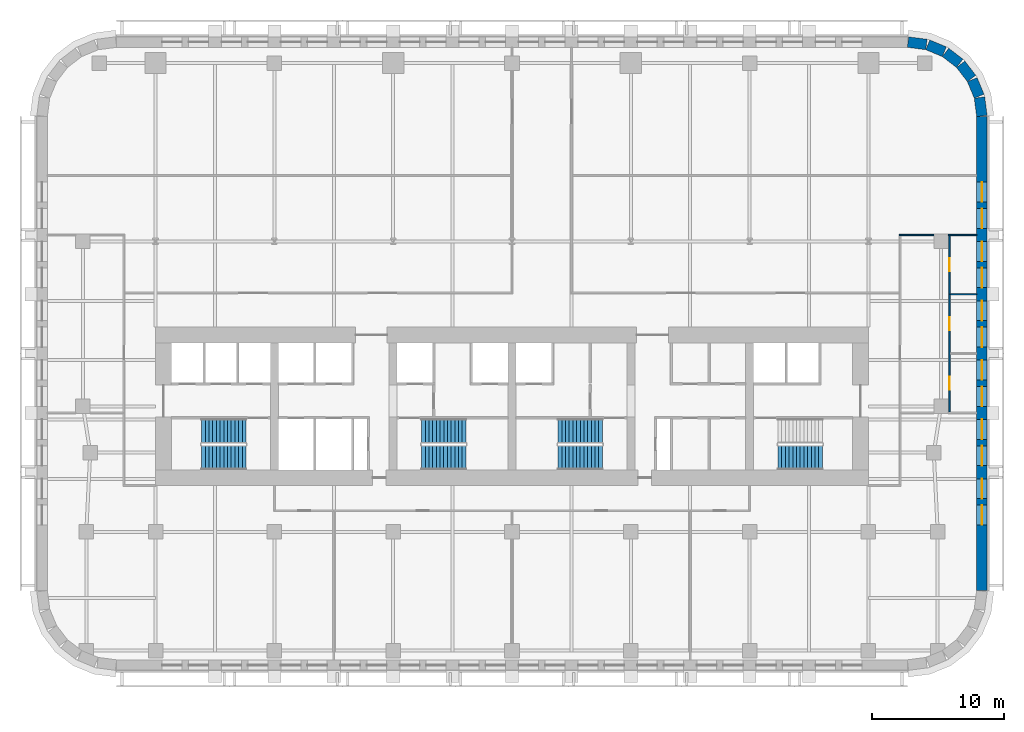
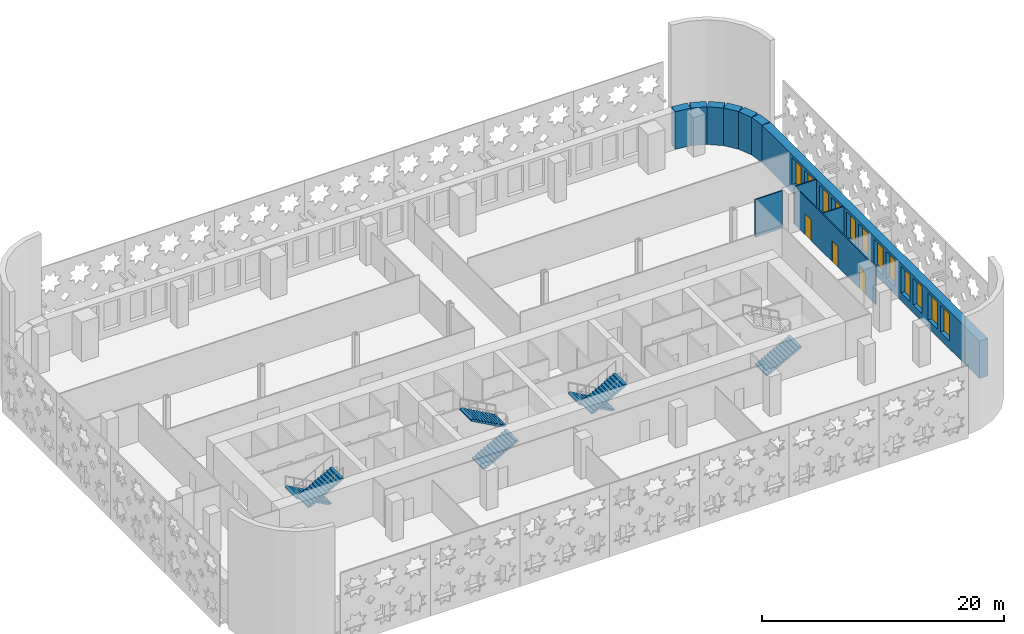
# One storey, part 9 of 15: 12 windows, 11 walls, 7 stair flights, 3 doors, 15 openings, 4 elements without a shape of their own.
"""IFC4 building model written with IfcOpenShell, lengths in metres."""

from ifc_helpers import new_model, si_unit, direction, frame, frame_2d, origin, place, context, subcontext, project, spatial, polyline, rectangle, outline, extrude, material, layer, layer_set, type_object, element, fill, aggregate, save


model = new_model("IFC4")

# Units and contexts
model_context = context("Model", 3, precision=1e-05, world=origin(), true_north=direction((0.0, 1.0)))
body_context = subcontext(model_context, "Body", "Model", "MODEL_VIEW")
ifc_project = project(units=[si_unit("LENGTHUNIT", "METRE"), si_unit("AREAUNIT", "SQUARE_METRE"), si_unit("VOLUMEUNIT", "CUBIC_METRE"), si_unit("PLANEANGLEUNIT", "RADIAN"), si_unit("MASSUNIT", "GRAM", prefix="KILO")], contexts=[model_context])

# Site, building, storey
site_placement = place(None, origin())
site = spatial("IfcSite", under=ifc_project, at=site_placement, CompositionType="ELEMENT")
building_placement = place(site_placement, origin())
building = spatial("IfcBuilding", under=site, at=building_placement, Name="Zellij Exchange Tower", CompositionType="ELEMENT")
storey_placement = place(building_placement, frame((0.0, 0.0, 76.5)))
storey = spatial("IfcBuildingStorey", under=building, at=storey_placement, Name="L15", CompositionType="ELEMENT", Elevation=76.5)

# Wall, openings, windows
ifc_material_1 = material(Name="Precast concrete C40/50", Category="concrete")
ifc_layer_1 = layer(ifc_material_1, 0.800048828125)
ifc_layer_set_1 = layer_set([ifc_layer_1], Name="Precast concrete C40/50")
wall_type_1 = type_object("IfcWallType", Name="ENV-EW1 Precast stone-piered wall 800", PredefinedType="SOLIDWALL", material=ifc_layer_set_1)
wall_1_placement = place(storey_placement, frame((35.60009765625, -21.947509765625, 0.0), z_axis=(0.0, 0.0, 1.0), x_axis=(0.0, 1.0, 0.0)))
wall_1 = element("IfcWall", 1, at=wall_1_placement, inside=storey, type_object=wall_type_1, Name="fac.L15.07", PredefinedType="SOLIDWALL", context=body_context, shape_type="SweptSolid", body=[
    extrude(rectangle(XDim=35.89501953125, YDim=0.800048828125, at=frame_2d((17.947509765625, 0.0))), origin(), (0.0, 0.0, 1.0), 3.800048828125),
])
opening_1_placement = place(wall_1_placement, frame((4.9638671875, 0.0, 0.800048828125)))
opening_1 = element("IfcOpeningElement", 2, at=opening_1_placement, cuts=wall_1, Name="Opening FZ1.25", PredefinedType="OPENING", context=body_context, shape_type="SweptSolid", body=[
    extrude(rectangle(XDim=1.5, YDim=2.699951171875, at=frame_2d((0.75, 1.35009765625))), frame((0.0, 0.412109375, 0.0), z_axis=(0.0, -1.0, 0.0), x_axis=(1.0, 0.0, 0.0)), (0.0, 0.0, 1.0), 0.823974609375),
])
opening_2_placement = place(wall_1_placement, frame((6.9638671875, 0.0, 0.800048828125)))
opening_2 = element("IfcOpeningElement", 3, at=opening_2_placement, cuts=wall_1, Name="Opening FZ1.26", PredefinedType="OPENING", context=body_context, shape_type="SweptSolid", body=[
    extrude(rectangle(XDim=1.5, YDim=2.699951171875, at=frame_2d((0.75, 1.35009765625))), frame((0.0, 0.412109375, 0.0), z_axis=(0.0, -1.0, 0.0), x_axis=(1.0, 0.0, 0.0)), (0.0, 0.0, 1.0), 0.823974609375),
])
opening_3_placement = place(wall_1_placement, frame((9.45751953125, 0.0, 0.800048828125)))
opening_3 = element("IfcOpeningElement", 4, at=opening_3_placement, cuts=wall_1, Name="Opening FZ1.27", PredefinedType="OPENING", context=body_context, shape_type="SweptSolid", body=[
    extrude(rectangle(XDim=1.5, YDim=2.699951171875, at=frame_2d((0.75, 1.35009765625))), frame((0.0, 0.412109375, 0.0), z_axis=(0.0, -1.0, 0.0), x_axis=(1.0, 0.0, 0.0)), (0.0, 0.0, 1.0), 0.823974609375),
])
opening_4_placement = place(wall_1_placement, frame((11.45751953125, 0.0, 0.800048828125)))
opening_4 = element("IfcOpeningElement", 5, at=opening_4_placement, cuts=wall_1, Name="Opening FZ1.28", PredefinedType="OPENING", context=body_context, shape_type="SweptSolid", body=[
    extrude(rectangle(XDim=1.5, YDim=2.699951171875, at=frame_2d((0.75, 1.35009765625))), frame((0.0, 0.412109375, 0.0), z_axis=(0.0, -1.0, 0.0), x_axis=(1.0, 0.0, 0.0)), (0.0, 0.0, 1.0), 0.823974609375),
])
opening_5_placement = place(wall_1_placement, frame((13.950927734375, 0.0, 0.800048828125)))
opening_5 = element("IfcOpeningElement", 6, at=opening_5_placement, cuts=wall_1, Name="Opening FZ1.29", PredefinedType="OPENING", context=body_context, shape_type="SweptSolid", body=[
    extrude(rectangle(XDim=1.5, YDim=2.699951171875, at=frame_2d((0.75, 1.35009765625))), frame((0.0, 0.412109375, 0.0), z_axis=(0.0, -1.0, 0.0), x_axis=(1.0, 0.0, 0.0)), (0.0, 0.0, 1.0), 0.823974609375),
])
opening_6_placement = place(wall_1_placement, frame((15.95068359375, 0.0, 0.800048828125)))
opening_6 = element("IfcOpeningElement", 7, at=opening_6_placement, cuts=wall_1, Name="Opening FZ1.30", PredefinedType="OPENING", context=body_context, shape_type="SweptSolid", body=[
    extrude(rectangle(XDim=1.5, YDim=2.699951171875, at=frame_2d((0.75, 1.35009765625))), frame((0.0, 0.412109375, 0.0), z_axis=(0.0, -1.0, 0.0), x_axis=(1.0, 0.0, 0.0)), (0.0, 0.0, 1.0), 0.823974609375),
])
opening_7_placement = place(wall_1_placement, frame((18.4443359375, 0.0, 0.800048828125)))
opening_7 = element("IfcOpeningElement", 8, at=opening_7_placement, cuts=wall_1, Name="Opening FZ1.31", PredefinedType="OPENING", context=body_context, shape_type="SweptSolid", body=[
    extrude(rectangle(XDim=1.5, YDim=2.699951171875, at=frame_2d((0.75, 1.35009765625))), frame((0.0, 0.412109375, 0.0), z_axis=(0.0, -1.0, 0.0), x_axis=(1.0, 0.0, 0.0)), (0.0, 0.0, 1.0), 0.823974609375),
])
opening_8_placement = place(wall_1_placement, frame((20.4443359375, 0.0, 0.800048828125)))
opening_8 = element("IfcOpeningElement", 9, at=opening_8_placement, cuts=wall_1, Name="Opening FZ1.32", PredefinedType="OPENING", context=body_context, shape_type="SweptSolid", body=[
    extrude(rectangle(XDim=1.5, YDim=2.699951171875, at=frame_2d((0.75, 1.35009765625))), frame((0.0, 0.412109375, 0.0), z_axis=(0.0, -1.0, 0.0), x_axis=(1.0, 0.0, 0.0)), (0.0, 0.0, 1.0), 0.823974609375),
])
opening_9_placement = place(wall_1_placement, frame((22.937744140625, 0.0, 0.800048828125)))
opening_9 = element("IfcOpeningElement", 10, at=opening_9_placement, cuts=wall_1, Name="Opening FZ1.33", PredefinedType="OPENING", context=body_context, shape_type="SweptSolid", body=[
    extrude(rectangle(XDim=1.5, YDim=2.699951171875, at=frame_2d((0.75, 1.35009765625))), frame((0.0, 0.412109375, 0.0), z_axis=(0.0, -1.0, 0.0), x_axis=(1.0, 0.0, 0.0)), (0.0, 0.0, 1.0), 0.823974609375),
])
opening_10_placement = place(wall_1_placement, frame((24.937744140625, 0.0, 0.800048828125)))
opening_10 = element("IfcOpeningElement", 11, at=opening_10_placement, cuts=wall_1, Name="Opening FZ1.34", PredefinedType="OPENING", context=body_context, shape_type="SweptSolid", body=[
    extrude(rectangle(XDim=1.5, YDim=2.699951171875, at=frame_2d((0.75, 1.35009765625))), frame((0.0, 0.412109375, 0.0), z_axis=(0.0, -1.0, 0.0), x_axis=(1.0, 0.0, 0.0)), (0.0, 0.0, 1.0), 0.823974609375),
])
opening_11_placement = place(wall_1_placement, frame((27.43115234375, 0.0, 0.800048828125)))
opening_11 = element("IfcOpeningElement", 12, at=opening_11_placement, cuts=wall_1, Name="Opening FZ1.35", PredefinedType="OPENING", context=body_context, shape_type="SweptSolid", body=[
    extrude(rectangle(XDim=1.5, YDim=2.699951171875, at=frame_2d((0.75, 1.35009765625))), frame((0.0, 0.412109375, 0.0), z_axis=(0.0, -1.0, 0.0), x_axis=(1.0, 0.0, 0.0)), (0.0, 0.0, 1.0), 0.823974609375),
])
opening_12_placement = place(wall_1_placement, frame((29.43115234375, 0.0, 0.800048828125)))
opening_12 = element("IfcOpeningElement", 13, at=opening_12_placement, cuts=wall_1, Name="Opening FZ1.36", PredefinedType="OPENING", context=body_context, shape_type="SweptSolid", body=[
    extrude(rectangle(XDim=1.5, YDim=2.699951171875, at=frame_2d((0.75, 1.35009765625))), frame((0.0, 0.412109375, 0.0), z_axis=(0.0, -1.0, 0.0), x_axis=(1.0, 0.0, 0.0)), (0.0, 0.0, 1.0), 0.823974609375),
])
ifc_material_2 = material(Name="Aluminium frame with insulating glass", Category="aluminium")
window_type = type_object("IfcWindowType", Name="ENV-W6 Window 1500x2700", PartitioningType="SINGLE_PANEL", PredefinedType="WINDOW", material=ifc_material_2)
window_1_placement = place(opening_1_placement, origin())
window_1 = element("IfcWindow", 14, at=window_1_placement, inside=storey, type_object=window_type, Name="Window FZ1.25", OverallHeight=2.699951171875, OverallWidth=1.5, PartitioningType="SINGLE_PANEL", PredefinedType="WINDOW", context=body_context, shape_type="SweptSolid", body=[
    extrude(rectangle(XDim=1.5, YDim=2.699951171875, at=frame_2d((0.75, 1.35009765625))), frame((0.0, 0.030029296875, 0.0), z_axis=(0.0, -1.0, 0.0), x_axis=(1.0, 0.0, 0.0)), (0.0, 0.0, 1.0), 0.06005859375),
])
fill(opening_1, window_1)
window_2_placement = place(opening_2_placement, origin())
window_2 = element("IfcWindow", 15, at=window_2_placement, inside=storey, type_object=window_type, Name="Window FZ1.26", OverallHeight=2.699951171875, OverallWidth=1.5, PartitioningType="SINGLE_PANEL", PredefinedType="WINDOW", context=body_context, shape_type="SweptSolid", body=[
    extrude(rectangle(XDim=1.5, YDim=2.699951171875, at=frame_2d((0.75, 1.35009765625))), frame((0.0, 0.030029296875, 0.0), z_axis=(0.0, -1.0, 0.0), x_axis=(1.0, 0.0, 0.0)), (0.0, 0.0, 1.0), 0.06005859375),
])
fill(opening_2, window_2)
window_3_placement = place(opening_3_placement, origin())
window_3 = element("IfcWindow", 16, at=window_3_placement, inside=storey, type_object=window_type, Name="Window FZ1.27", OverallHeight=2.699951171875, OverallWidth=1.5, PartitioningType="SINGLE_PANEL", PredefinedType="WINDOW", context=body_context, shape_type="SweptSolid", body=[
    extrude(rectangle(XDim=1.5, YDim=2.699951171875, at=frame_2d((0.75, 1.35009765625))), frame((0.0, 0.030029296875, 0.0), z_axis=(0.0, -1.0, 0.0), x_axis=(1.0, 0.0, 0.0)), (0.0, 0.0, 1.0), 0.06005859375),
])
fill(opening_3, window_3)
window_4_placement = place(opening_4_placement, origin())
window_4 = element("IfcWindow", 17, at=window_4_placement, inside=storey, type_object=window_type, Name="Window FZ1.28", OverallHeight=2.699951171875, OverallWidth=1.5, PartitioningType="SINGLE_PANEL", PredefinedType="WINDOW", context=body_context, shape_type="SweptSolid", body=[
    extrude(rectangle(XDim=1.5, YDim=2.699951171875, at=frame_2d((0.75, 1.35009765625))), frame((0.0, 0.030029296875, 0.0), z_axis=(0.0, -1.0, 0.0), x_axis=(1.0, 0.0, 0.0)), (0.0, 0.0, 1.0), 0.06005859375),
])
fill(opening_4, window_4)
window_5_placement = place(opening_5_placement, origin())
window_5 = element("IfcWindow", 18, at=window_5_placement, inside=storey, type_object=window_type, Name="Window FZ1.29", OverallHeight=2.699951171875, OverallWidth=1.5, PartitioningType="SINGLE_PANEL", PredefinedType="WINDOW", context=body_context, shape_type="SweptSolid", body=[
    extrude(rectangle(XDim=1.5, YDim=2.699951171875, at=frame_2d((0.75, 1.35009765625))), frame((0.0, 0.030029296875, 0.0), z_axis=(0.0, -1.0, 0.0), x_axis=(1.0, 0.0, 0.0)), (0.0, 0.0, 1.0), 0.06005859375),
])
fill(opening_5, window_5)
window_6_placement = place(opening_6_placement, origin())
window_6 = element("IfcWindow", 19, at=window_6_placement, inside=storey, type_object=window_type, Name="Window FZ1.30", OverallHeight=2.699951171875, OverallWidth=1.5, PartitioningType="SINGLE_PANEL", PredefinedType="WINDOW", context=body_context, shape_type="SweptSolid", body=[
    extrude(rectangle(XDim=1.5, YDim=2.699951171875, at=frame_2d((0.75, 1.35009765625))), frame((0.0, 0.030029296875, 0.0), z_axis=(0.0, -1.0, 0.0), x_axis=(1.0, 0.0, 0.0)), (0.0, 0.0, 1.0), 0.06005859375),
])
fill(opening_6, window_6)
window_7_placement = place(opening_7_placement, origin())
window_7 = element("IfcWindow", 20, at=window_7_placement, inside=storey, type_object=window_type, Name="Window FZ1.31", OverallHeight=2.699951171875, OverallWidth=1.5, PartitioningType="SINGLE_PANEL", PredefinedType="WINDOW", context=body_context, shape_type="SweptSolid", body=[
    extrude(rectangle(XDim=1.5, YDim=2.699951171875, at=frame_2d((0.75, 1.35009765625))), frame((0.0, 0.030029296875, 0.0), z_axis=(0.0, -1.0, 0.0), x_axis=(1.0, 0.0, 0.0)), (0.0, 0.0, 1.0), 0.06005859375),
])
fill(opening_7, window_7)
window_8_placement = place(opening_8_placement, origin())
window_8 = element("IfcWindow", 21, at=window_8_placement, inside=storey, type_object=window_type, Name="Window FZ1.32", OverallHeight=2.699951171875, OverallWidth=1.5, PartitioningType="SINGLE_PANEL", PredefinedType="WINDOW", context=body_context, shape_type="SweptSolid", body=[
    extrude(rectangle(XDim=1.5, YDim=2.699951171875, at=frame_2d((0.75, 1.35009765625))), frame((0.0, 0.030029296875, 0.0), z_axis=(0.0, -1.0, 0.0), x_axis=(1.0, 0.0, 0.0)), (0.0, 0.0, 1.0), 0.06005859375),
])
fill(opening_8, window_8)
window_9_placement = place(opening_9_placement, origin())
window_9 = element("IfcWindow", 22, at=window_9_placement, inside=storey, type_object=window_type, Name="Window FZ1.33", OverallHeight=2.699951171875, OverallWidth=1.5, PartitioningType="SINGLE_PANEL", PredefinedType="WINDOW", context=body_context, shape_type="SweptSolid", body=[
    extrude(rectangle(XDim=1.5, YDim=2.699951171875, at=frame_2d((0.75, 1.35009765625))), frame((0.0, 0.030029296875, 0.0), z_axis=(0.0, -1.0, 0.0), x_axis=(1.0, 0.0, 0.0)), (0.0, 0.0, 1.0), 0.06005859375),
])
fill(opening_9, window_9)
window_10_placement = place(opening_10_placement, origin())
window_10 = element("IfcWindow", 23, at=window_10_placement, inside=storey, type_object=window_type, Name="Window FZ1.34", OverallHeight=2.699951171875, OverallWidth=1.5, PartitioningType="SINGLE_PANEL", PredefinedType="WINDOW", context=body_context, shape_type="SweptSolid", body=[
    extrude(rectangle(XDim=1.5, YDim=2.699951171875, at=frame_2d((0.75, 1.35009765625))), frame((0.0, 0.030029296875, 0.0), z_axis=(0.0, -1.0, 0.0), x_axis=(1.0, 0.0, 0.0)), (0.0, 0.0, 1.0), 0.06005859375),
])
fill(opening_10, window_10)
window_11_placement = place(opening_11_placement, origin())
window_11 = element("IfcWindow", 24, at=window_11_placement, inside=storey, type_object=window_type, Name="Window FZ1.35", OverallHeight=2.699951171875, OverallWidth=1.5, PartitioningType="SINGLE_PANEL", PredefinedType="WINDOW", context=body_context, shape_type="SweptSolid", body=[
    extrude(rectangle(XDim=1.5, YDim=2.699951171875, at=frame_2d((0.75, 1.35009765625))), frame((0.0, 0.030029296875, 0.0), z_axis=(0.0, -1.0, 0.0), x_axis=(1.0, 0.0, 0.0)), (0.0, 0.0, 1.0), 0.06005859375),
])
fill(opening_11, window_11)
window_12_placement = place(opening_12_placement, origin())
window_12 = element("IfcWindow", 25, at=window_12_placement, inside=storey, type_object=window_type, Name="Window FZ1.36", OverallHeight=2.699951171875, OverallWidth=1.5, PartitioningType="SINGLE_PANEL", PredefinedType="WINDOW", context=body_context, shape_type="SweptSolid", body=[
    extrude(rectangle(XDim=1.5, YDim=2.699951171875, at=frame_2d((0.75, 1.35009765625))), frame((0.0, 0.030029296875, 0.0), z_axis=(0.0, -1.0, 0.0), x_axis=(1.0, 0.0, 0.0)), (0.0, 0.0, 1.0), 0.06005859375),
])
fill(opening_12, window_12)

# Walls
wall_2_placement = place(storey_placement, frame((35.5966796875, 13.999755859375, 0.0), z_axis=(0.0, 0.0, 1.0), x_axis=(-0.130517283865, 0.99144603414, 0.0)))
element("IfcWall", 26, at=wall_2_placement, inside=storey, type_object=wall_type_1, Name="fac.L15.08", PredefinedType="SOLIDWALL", context=body_context, shape_type="SweptSolid", body=[
    extrude(rectangle(XDim=1.408447265625, YDim=0.800048828125, at=frame_2d((0.7041015625, 0.0))), origin(), (0.0, 0.0, 1.0), 3.800048828125),
])
wall_3_placement = place(storey_placement, frame((35.3857421875, 15.497314453125, 0.0), z_axis=(0.0, 0.0, 1.0), x_axis=(-0.38276009378, 0.923847774587, 0.0)))
element("IfcWall", 27, at=wall_3_placement, inside=storey, type_object=wall_type_1, Name="fac.L15.09", PredefinedType="SOLIDWALL", context=body_context, shape_type="SweptSolid", body=[
    extrude(rectangle(XDim=1.35546875, YDim=0.800048828125, at=frame_2d((0.677734375, 0.0))), origin(), (0.0, 0.0, 1.0), 3.800048828125),
])
for number, where, z_axis, x_axis, name in (
    (28, (34.814697265625, 16.840087890625, 0.0), (0.0, 0.0, 1.0), (-0.608866226366, 0.793272915452, 0.0), "fac.L15.10"),
    (29, (33.91552734375, 17.9892578125, 0.0), (0.0, 0.0, 1.0), (-0.793272915452, 0.608866226366, 0.0), "fac.L15.11"),
):
    element("IfcWall", number, at=place(storey_placement, frame(where, z_axis=z_axis, x_axis=x_axis)), inside=storey, type_object=wall_type_1, Name=name, PredefinedType="SOLIDWALL", context=body_context, shape_type="SweptSolid", body=[
        extrude(rectangle(XDim=1.355712890625, YDim=0.800048828125, at=frame_2d((0.677734375, 0.0))), origin(), (0.0, 0.0, 1.0), 3.800048828125),
    ])
wall_4_placement = place(storey_placement, frame((32.74951171875, 18.866943359375, 0.0), z_axis=(0.0, 0.0, 1.0), x_axis=(-0.923847774587, 0.38276009378, 0.0)))
element("IfcWall", 30, at=wall_4_placement, inside=storey, type_object=wall_type_1, Name="fac.L15.12", PredefinedType="SOLIDWALL", context=body_context, shape_type="SweptSolid", body=[
    extrude(rectangle(XDim=1.35546875, YDim=0.800048828125, at=frame_2d((0.677734375, 0.0))), origin(), (0.0, 0.0, 1.0), 3.800048828125),
])
wall_5_placement = place(storey_placement, frame((31.396240234375, 19.412841796875, 0.0), z_axis=(0.0, 0.0, 1.0), x_axis=(-0.99144603414, 0.130517283865, 0.0)))
element("IfcWall", 31, at=wall_5_placement, inside=storey, type_object=wall_type_1, Name="fac.L15.13", PredefinedType="SOLIDWALL", context=body_context, shape_type="SweptSolid", body=[
    extrude(rectangle(XDim=1.408447265625, YDim=0.800048828125, at=frame_2d((0.7041015625, 0.0))), origin(), (0.0, 0.0, 1.0), 3.800048828125),
])

# Wall, openings, doors
ifc_material_3 = material(Name="Gypsum board partition on steel studs", Category="steel")
ifc_layer_2 = layer(ifc_material_3, 0.10009765625)
ifc_layer_set_2 = layer_set([ifc_layer_2], Name="Gypsum board partition on steel studs")
wall_type_2 = type_object("IfcWallType", Name="FIT-PARTITION-100", PredefinedType="PARTITIONING", material=ifc_layer_set_2)
wall_6_placement = place(storey_placement, frame((33.14990234375, -8.43994140625, 0.0), z_axis=(0.0, 0.0, 1.0), x_axis=(0.0, 1.0, 0.0)))
wall_6 = element("IfcWall", 32, at=wall_6_placement, inside=storey, type_object=wall_type_2, Name="FIT-PARTITION-100 018", PredefinedType="PARTITIONING", context=body_context, shape_type="SweptSolid", body=[
    extrude(rectangle(XDim=13.3798828125, YDim=0.10009765625, at=frame_2d((6.68994140625, 0.0))), origin(), (0.0, 0.0, 1.0), 3.800048828125),
])
opening_13_placement = place(wall_6_placement, frame((1.699951171875, 0.0, 0.0)))
opening_13 = element("IfcOpeningElement", 33, at=opening_13_placement, cuts=wall_6, Name="Opening TC.05", PredefinedType="OPENING", context=body_context, shape_type="SweptSolid", body=[
    extrude(rectangle(XDim=1.0, YDim=2.10009765625, at=frame_2d((0.5, 1.050048828125))), frame((0.0, 0.06201171875, 0.0), z_axis=(0.0, -1.0, 0.0), x_axis=(1.0, 0.0, 0.0)), (0.0, 0.0, 1.0), 0.1240234375),
])
opening_14_placement = place(wall_6_placement, frame((6.18994140625, 0.0, 0.0)))
opening_14 = element("IfcOpeningElement", 34, at=opening_14_placement, cuts=wall_6, Name="Opening TC.08", PredefinedType="OPENING", context=body_context, shape_type="SweptSolid", body=[
    extrude(rectangle(XDim=1.0, YDim=2.10009765625, at=frame_2d((0.5, 1.050048828125))), frame((0.0, 0.06201171875, 0.0), z_axis=(0.0, -1.0, 0.0), x_axis=(1.0, 0.0, 0.0)), (0.0, 0.0, 1.0), 0.1240234375),
])
opening_15_placement = place(wall_6_placement, frame((10.679931640625, 0.0, 0.0)))
opening_15 = element("IfcOpeningElement", 35, at=opening_15_placement, cuts=wall_6, Name="Opening TC.13", PredefinedType="OPENING", context=body_context, shape_type="SweptSolid", body=[
    extrude(rectangle(XDim=1.0, YDim=2.10009765625, at=frame_2d((0.5, 1.050048828125))), frame((0.0, 0.06201171875, 0.0), z_axis=(0.0, -1.0, 0.0), x_axis=(1.0, 0.0, 0.0)), (0.0, 0.0, 1.0), 0.1240234375),
])
ifc_material_4 = material(Name="Timber door set", Category="wood")
door_type = type_object("IfcDoorType", Name="FIT-D2-WIDE-1000X2100", OperationType="SINGLE_SWING_LEFT", PredefinedType="DOOR", material=ifc_material_4)
door_1_placement = place(opening_13_placement, origin())
door_1 = element("IfcDoor", 36, at=door_1_placement, inside=storey, type_object=door_type, Name="Door TC.05", OperationType="SINGLE_SWING_RIGHT", OverallHeight=2.10009765625, OverallWidth=1.0, PredefinedType="DOOR", context=body_context, shape_type="SweptSolid", body=[
    extrude(rectangle(XDim=1.0, YDim=2.10009765625, at=frame_2d((0.5, 1.050048828125))), frame((0.0, 0.02490234375, 0.0), z_axis=(0.0, -1.0, 0.0), x_axis=(1.0, 0.0, 0.0)), (0.0, 0.0, 1.0), 0.050048828125),
])
fill(opening_13, door_1)
door_2_placement = place(opening_14_placement, origin())
door_2 = element("IfcDoor", 37, at=door_2_placement, inside=storey, type_object=door_type, Name="Door TC.08", OperationType="SINGLE_SWING_RIGHT", OverallHeight=2.10009765625, OverallWidth=1.0, PredefinedType="DOOR", context=body_context, shape_type="SweptSolid", body=[
    extrude(rectangle(XDim=1.0, YDim=2.10009765625, at=frame_2d((0.5, 1.050048828125))), frame((0.0, 0.02490234375, 0.0), z_axis=(0.0, -1.0, 0.0), x_axis=(1.0, 0.0, 0.0)), (0.0, 0.0, 1.0), 0.050048828125),
])
fill(opening_14, door_2)
door_3_placement = place(opening_15_placement, origin())
door_3 = element("IfcDoor", 38, at=door_3_placement, inside=storey, type_object=door_type, Name="Door TC.13", OperationType="SINGLE_SWING_LEFT", OverallHeight=2.10009765625, OverallWidth=1.0, PredefinedType="DOOR", context=body_context, shape_type="SweptSolid", body=[
    extrude(rectangle(XDim=1.0, YDim=2.10009765625, at=frame_2d((0.5, 1.050048828125))), frame((0.0, 0.02490234375, 0.0), z_axis=(0.0, -1.0, 0.0), x_axis=(1.0, 0.0, 0.0)), (0.0, 0.0, 1.0), 0.050048828125),
])
fill(opening_15, door_3)

# Walls
wall_7_placement = place(storey_placement, frame((33.199951171875, 0.489990234375, 0.0), z_axis=(0.0, 0.0, 1.0), x_axis=(1.0, 0.0, 0.0)))
element("IfcWall", 39, at=wall_7_placement, inside=storey, type_object=wall_type_2, Name="FIT-PARTITION-100 020", PredefinedType="PARTITIONING", context=body_context, shape_type="SweptSolid", body=[
    extrude(rectangle(XDim=2.0, YDim=0.10009765625, at=frame_2d((1.0, 0.0))), origin(), (0.0, 0.0, 1.0), 3.800048828125),
])
wall_8_placement = place(storey_placement, frame((29.35009765625, 4.989990234375, 0.0), z_axis=(0.0, 0.0, 1.0), x_axis=(1.0, 0.0, 0.0)))
element("IfcWall", 40, at=wall_8_placement, inside=storey, type_object=wall_type_2, Name="FIT-PARTITION-100 030", PredefinedType="PARTITIONING", context=body_context, shape_type="SweptSolid", body=[
    extrude(rectangle(XDim=2.599853515625, YDim=0.10009765625, at=frame_2d((1.2998046875, 0.0))), origin(), (0.0, 0.0, 1.0), 3.800048828125),
])
wall_9_placement = place(storey_placement, frame((33.050048828125, 4.989990234375, 0.0), z_axis=(0.0, 0.0, 1.0), x_axis=(1.0, 0.0, 0.0)))
element("IfcWall", 41, at=wall_9_placement, inside=storey, type_object=wall_type_2, Name="FIT-PARTITION-100 031", PredefinedType="PARTITIONING", context=body_context, shape_type="SweptSolid", body=[
    extrude(rectangle(XDim=2.14990234375, YDim=0.10009765625, at=frame_2d((1.074951171875, 0.0))), origin(), (0.0, 0.0, 1.0), 3.800048828125),
])

# Stair, stair flights
ifc_material_5 = material(Name="Concrete C40/50", Category="concrete")
stair_type = type_object("IfcStairType", Name="CORE-ST exit stair 1850 wide", PredefinedType="HALF_TURN_STAIR", material=ifc_material_5)
stair_1_placement = place(storey_placement, origin())
stair_1 = element("IfcStair", 42, at=stair_1_placement, inside=storey, type_object=stair_type, Name="L15 exit stair ST1", PredefinedType="HALF_TURN_STAIR")
stair_flight_type = type_object("IfcStairFlightType", Name="CORE-SF flight 1850 riser 153.8 going 280", PredefinedType="STRAIGHT", material=ifc_material_5)
stair_flight_1_placement = place(storey_placement, frame((-20.14990234375, -9.875, 0.0), z_axis=(0.0, 0.0, 1.0), x_axis=(-1.0, 0.0, 0.0)))
stair_flight_1 = element("IfcStairFlight", 43, at=stair_flight_1_placement, type_object=stair_flight_type, Name="ST1 flight 1", NumberOfRisers=13, NumberOfTreads=12, PredefinedType="STRAIGHT", RiserHeight=0.153846154, TreadLength=0.28, context=body_context, shape_type="SweptSolid", body=[
    extrude(outline(polyline([(0.0, 0.0), (0.0, 0.15380859375), (0.280029296875, 0.15380859375), (0.280029296875, 0.3076171875), (0.56005859375, 0.3076171875), (0.56005859375, 0.46142578125), (0.840087890625, 0.46142578125), (0.840087890625, 0.615478515625), (1.1201171875, 0.615478515625), (1.1201171875, 0.769287109375), (1.39990234375, 0.769287109375), (1.39990234375, 0.923095703125), (1.679931640625, 0.923095703125), (1.679931640625, 1.076904296875), (1.9599609375, 1.076904296875), (1.9599609375, 1.230712890625), (2.239990234375, 1.230712890625), (2.239990234375, 1.384521484375), (2.52001953125, 1.384521484375), (2.52001953125, 1.53857421875), (2.800048828125, 1.53857421875), (2.800048828125, 1.6923828125), (3.080078125, 1.6923828125), (3.080078125, 1.84619140625), (3.360107421875, 1.84619140625), (3.360107421875, 2.0), (3.360107421875, 1.675048828125), (0.311279296875, 0.0), (0.0, 0.0)])), frame((0.0, 0.925048828125, 0.0), z_axis=(0.0, -1.0, 0.0), x_axis=(1.0, 0.0, 0.0)), (0.0, 0.0, 1.0), 1.85009765625),
])
stair_flight_2_placement = place(storey_placement, frame((-23.510009765625, -11.875, 2.0), z_axis=(0.0, 0.0, 1.0), x_axis=(1.0, 0.0, 0.0)))
stair_flight_2 = element("IfcStairFlight", 44, at=stair_flight_2_placement, type_object=stair_flight_type, Name="ST1 flight 2", NumberOfRisers=13, NumberOfTreads=12, PredefinedType="STRAIGHT", RiserHeight=0.153846154, TreadLength=0.28, context=body_context, shape_type="SweptSolid", body=[
    extrude(outline(polyline([(0.0, 0.0), (0.0, 0.15380859375), (0.280029296875, 0.15380859375), (0.280029296875, 0.3076171875), (0.56005859375, 0.3076171875), (0.56005859375, 0.46142578125), (0.840087890625, 0.46142578125), (0.840087890625, 0.615478515625), (1.1201171875, 0.615478515625), (1.1201171875, 0.769287109375), (1.39990234375, 0.769287109375), (1.39990234375, 0.923095703125), (1.679931640625, 0.923095703125), (1.679931640625, 1.076904296875), (1.9599609375, 1.076904296875), (1.9599609375, 1.230712890625), (2.239990234375, 1.230712890625), (2.239990234375, 1.384521484375), (2.52001953125, 1.384521484375), (2.52001953125, 1.53857421875), (2.800048828125, 1.53857421875), (2.800048828125, 1.6923828125), (3.080078125, 1.6923828125), (3.080078125, 1.84619140625), (3.360107421875, 1.84619140625), (3.360107421875, 2.0), (3.360107421875, 1.675048828125), (0.311279296875, 0.0), (0.0, 0.0)])), frame((0.0, 0.925048828125, 0.0), z_axis=(0.0, -1.0, 0.0), x_axis=(1.0, 0.0, 0.0)), (0.0, 0.0, 1.0), 1.85009765625),
])
aggregate(stair_1, [stair_flight_1, stair_flight_2])

stair_2_placement = place(storey_placement, origin())
stair_2 = element("IfcStair", 45, at=stair_2_placement, inside=storey, type_object=stair_type, Name="L15 exit stair ST2", PredefinedType="HALF_TURN_STAIR")
stair_flight_3_placement = place(storey_placement, frame((-6.85009765625, -11.875, 0.0), z_axis=(0.0, 0.0, 1.0), x_axis=(1.0, 0.0, 0.0)))
stair_flight_3 = element("IfcStairFlight", 46, at=stair_flight_3_placement, type_object=stair_flight_type, Name="ST2 flight 1", NumberOfRisers=13, NumberOfTreads=12, PredefinedType="STRAIGHT", RiserHeight=0.153846154, TreadLength=0.28, context=body_context, shape_type="SweptSolid", body=[
    extrude(outline(polyline([(0.0, 0.0), (0.0, 0.15380859375), (0.280029296875, 0.15380859375), (0.280029296875, 0.3076171875), (0.56005859375, 0.3076171875), (0.56005859375, 0.46142578125), (0.840087890625, 0.46142578125), (0.840087890625, 0.615478515625), (1.1201171875, 0.615478515625), (1.1201171875, 0.769287109375), (1.39990234375, 0.769287109375), (1.39990234375, 0.923095703125), (1.679931640625, 0.923095703125), (1.679931640625, 1.076904296875), (1.9599609375, 1.076904296875), (1.9599609375, 1.230712890625), (2.239990234375, 1.230712890625), (2.239990234375, 1.384521484375), (2.52001953125, 1.384521484375), (2.52001953125, 1.53857421875), (2.800048828125, 1.53857421875), (2.800048828125, 1.6923828125), (3.080078125, 1.6923828125), (3.080078125, 1.84619140625), (3.360107421875, 1.84619140625), (3.360107421875, 2.0), (3.360107421875, 1.675048828125), (0.311279296875, 0.0), (0.0, 0.0)])), frame((0.0, 0.925048828125, 0.0), z_axis=(0.0, -1.0, 0.0), x_axis=(1.0, 0.0, 0.0)), (0.0, 0.0, 1.0), 1.85009765625),
])
stair_flight_4_placement = place(storey_placement, frame((-3.489990234375, -9.875, 2.0), z_axis=(0.0, 0.0, 1.0), x_axis=(-1.0, 0.0, 0.0)))
stair_flight_4 = element("IfcStairFlight", 47, at=stair_flight_4_placement, type_object=stair_flight_type, Name="ST2 flight 2", NumberOfRisers=13, NumberOfTreads=12, PredefinedType="STRAIGHT", RiserHeight=0.153846154, TreadLength=0.28, context=body_context, shape_type="SweptSolid", body=[
    extrude(outline(polyline([(0.0, 0.0), (0.0, 0.15380859375), (0.280029296875, 0.15380859375), (0.280029296875, 0.3076171875), (0.56005859375, 0.3076171875), (0.56005859375, 0.46142578125), (0.840087890625, 0.46142578125), (0.840087890625, 0.615478515625), (1.1201171875, 0.615478515625), (1.1201171875, 0.769287109375), (1.39990234375, 0.769287109375), (1.39990234375, 0.923095703125), (1.679931640625, 0.923095703125), (1.679931640625, 1.076904296875), (1.9599609375, 1.076904296875), (1.9599609375, 1.230712890625), (2.239990234375, 1.230712890625), (2.239990234375, 1.384521484375), (2.52001953125, 1.384521484375), (2.52001953125, 1.53857421875), (2.800048828125, 1.53857421875), (2.800048828125, 1.6923828125), (3.080078125, 1.6923828125), (3.080078125, 1.84619140625), (3.360107421875, 1.84619140625), (3.360107421875, 2.0), (3.360107421875, 1.675048828125), (0.311279296875, 0.0), (0.0, 0.0)])), frame((0.0, 0.925048828125, 0.0), z_axis=(0.0, -1.0, 0.0), x_axis=(1.0, 0.0, 0.0)), (0.0, 0.0, 1.0), 1.85009765625),
])
aggregate(stair_2, [stair_flight_3, stair_flight_4])

stair_3_placement = place(storey_placement, origin())
stair_3 = element("IfcStair", 48, at=stair_3_placement, inside=storey, type_object=stair_type, Name="L15 exit stair ST3", PredefinedType="HALF_TURN_STAIR")
stair_flight_5_placement = place(storey_placement, frame((6.85009765625, -9.875, 0.0), z_axis=(0.0, 0.0, 1.0), x_axis=(-1.0, 0.0, 0.0)))
stair_flight_5 = element("IfcStairFlight", 49, at=stair_flight_5_placement, type_object=stair_flight_type, Name="ST3 flight 1", NumberOfRisers=13, NumberOfTreads=12, PredefinedType="STRAIGHT", RiserHeight=0.153846154, TreadLength=0.28, context=body_context, shape_type="SweptSolid", body=[
    extrude(outline(polyline([(0.0, 0.0), (0.0, 0.15380859375), (0.280029296875, 0.15380859375), (0.280029296875, 0.3076171875), (0.56005859375, 0.3076171875), (0.56005859375, 0.46142578125), (0.840087890625, 0.46142578125), (0.840087890625, 0.615478515625), (1.1201171875, 0.615478515625), (1.1201171875, 0.769287109375), (1.39990234375, 0.769287109375), (1.39990234375, 0.923095703125), (1.679931640625, 0.923095703125), (1.679931640625, 1.076904296875), (1.9599609375, 1.076904296875), (1.9599609375, 1.230712890625), (2.239990234375, 1.230712890625), (2.239990234375, 1.384521484375), (2.52001953125, 1.384521484375), (2.52001953125, 1.53857421875), (2.800048828125, 1.53857421875), (2.800048828125, 1.6923828125), (3.080078125, 1.6923828125), (3.080078125, 1.84619140625), (3.360107421875, 1.84619140625), (3.360107421875, 2.0), (3.360107421875, 1.675048828125), (0.311279296875, 0.0), (0.0, 0.0)])), frame((0.0, 0.925048828125, 0.0), z_axis=(0.0, -1.0, 0.0), x_axis=(1.0, 0.0, 0.0)), (0.0, 0.0, 1.0), 1.85009765625),
])
stair_flight_6_placement = place(storey_placement, frame((3.489990234375, -11.875, 2.0), z_axis=(0.0, 0.0, 1.0), x_axis=(1.0, 0.0, 0.0)))
stair_flight_6 = element("IfcStairFlight", 50, at=stair_flight_6_placement, type_object=stair_flight_type, Name="ST3 flight 2", NumberOfRisers=13, NumberOfTreads=12, PredefinedType="STRAIGHT", RiserHeight=0.153846154, TreadLength=0.28, context=body_context, shape_type="SweptSolid", body=[
    extrude(outline(polyline([(0.0, 0.0), (0.0, 0.15380859375), (0.280029296875, 0.15380859375), (0.280029296875, 0.3076171875), (0.56005859375, 0.3076171875), (0.56005859375, 0.46142578125), (0.840087890625, 0.46142578125), (0.840087890625, 0.615478515625), (1.1201171875, 0.615478515625), (1.1201171875, 0.769287109375), (1.39990234375, 0.769287109375), (1.39990234375, 0.923095703125), (1.679931640625, 0.923095703125), (1.679931640625, 1.076904296875), (1.9599609375, 1.076904296875), (1.9599609375, 1.230712890625), (2.239990234375, 1.230712890625), (2.239990234375, 1.384521484375), (2.52001953125, 1.384521484375), (2.52001953125, 1.53857421875), (2.800048828125, 1.53857421875), (2.800048828125, 1.6923828125), (3.080078125, 1.6923828125), (3.080078125, 1.84619140625), (3.360107421875, 1.84619140625), (3.360107421875, 2.0), (3.360107421875, 1.675048828125), (0.311279296875, 0.0), (0.0, 0.0)])), frame((0.0, 0.925048828125, 0.0), z_axis=(0.0, -1.0, 0.0), x_axis=(1.0, 0.0, 0.0)), (0.0, 0.0, 1.0), 1.85009765625),
])
aggregate(stair_3, [stair_flight_5, stair_flight_6])

# Stair, stair flight
stair_4_placement = place(storey_placement, origin())
stair_4 = element("IfcStair", 51, at=stair_4_placement, inside=storey, type_object=stair_type, Name="L15 exit stair ST4", PredefinedType="HALF_TURN_STAIR")
stair_flight_7_placement = place(storey_placement, frame((20.14990234375, -11.875, 0.0), z_axis=(0.0, 0.0, 1.0), x_axis=(1.0, 0.0, 0.0)))
stair_flight_7 = element("IfcStairFlight", 52, at=stair_flight_7_placement, type_object=stair_flight_type, Name="ST4 flight 1", NumberOfRisers=13, NumberOfTreads=12, PredefinedType="STRAIGHT", RiserHeight=0.153846154, TreadLength=0.28, context=body_context, shape_type="SweptSolid", body=[
    extrude(outline(polyline([(0.0, 0.0), (0.0, 0.15380859375), (0.280029296875, 0.15380859375), (0.280029296875, 0.3076171875), (0.56005859375, 0.3076171875), (0.56005859375, 0.46142578125), (0.840087890625, 0.46142578125), (0.840087890625, 0.615478515625), (1.1201171875, 0.615478515625), (1.1201171875, 0.769287109375), (1.39990234375, 0.769287109375), (1.39990234375, 0.923095703125), (1.679931640625, 0.923095703125), (1.679931640625, 1.076904296875), (1.9599609375, 1.076904296875), (1.9599609375, 1.230712890625), (2.239990234375, 1.230712890625), (2.239990234375, 1.384521484375), (2.52001953125, 1.384521484375), (2.52001953125, 1.53857421875), (2.800048828125, 1.53857421875), (2.800048828125, 1.6923828125), (3.080078125, 1.6923828125), (3.080078125, 1.84619140625), (3.360107421875, 1.84619140625), (3.360107421875, 2.0), (3.360107421875, 1.675048828125), (0.311279296875, 0.0), (0.0, 0.0)])), frame((0.0, 0.925048828125, 0.0), z_axis=(0.0, -1.0, 0.0), x_axis=(1.0, 0.0, 0.0)), (0.0, 0.0, 1.0), 1.85009765625),
])
aggregate(stair_4, [stair_flight_7])

save(model, "model.ifc")
